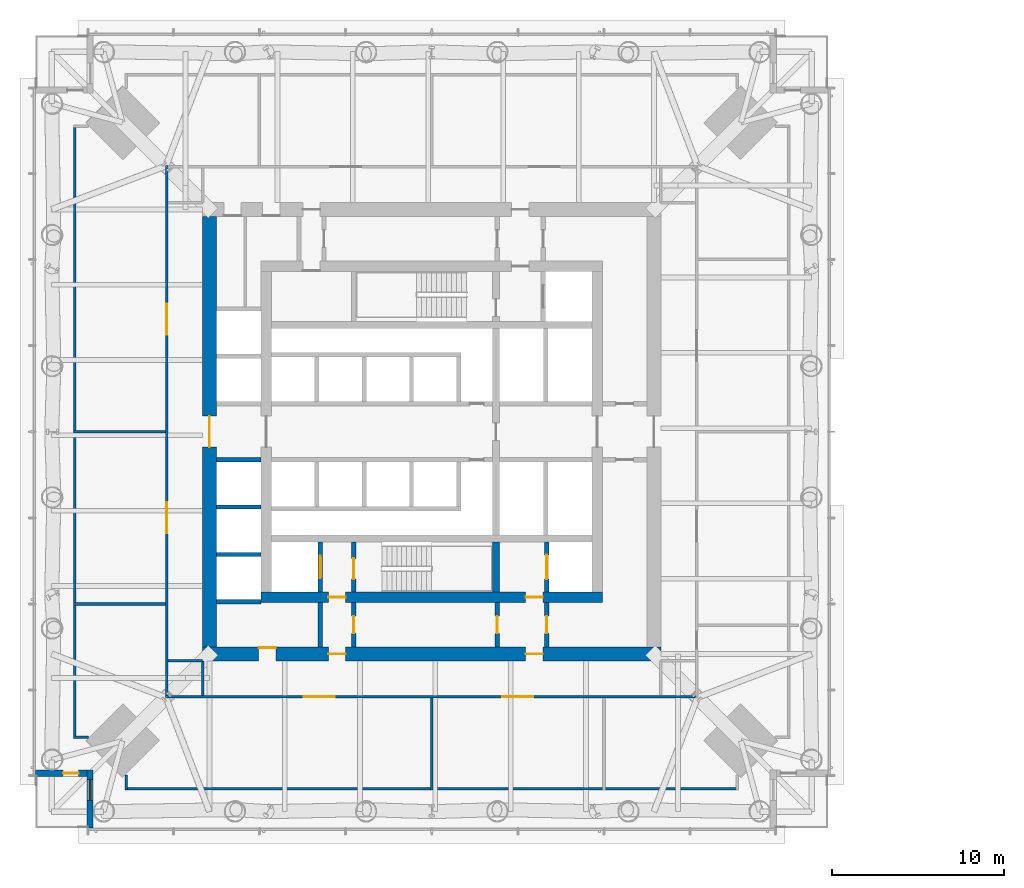
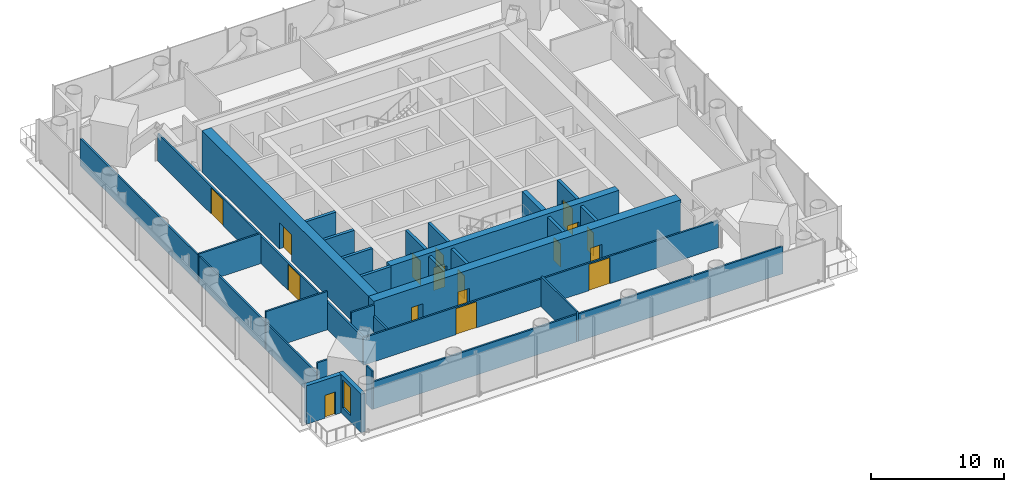
# One storey, part 10 of 28: 28 walls, 17 doors, 1 window, 18 openings.
"""IFC4 building model written with IfcOpenShell, lengths in metres."""

from ifc_helpers import new_model, si_unit, direction, frame, frame_2d, origin, place, context, subcontext, project, spatial, rectangle, extrude, material, layer, layer_set, type_object, element, fill, save


model = new_model("IFC4")

# Units and contexts
model_context = context("Model", 3, precision=1e-05, world=origin(), true_north=direction((0.0, 1.0)))
body_context = subcontext(model_context, "Body", "Model", "MODEL_VIEW")
ifc_project = project(units=[si_unit("LENGTHUNIT", "METRE"), si_unit("AREAUNIT", "SQUARE_METRE"), si_unit("VOLUMEUNIT", "CUBIC_METRE"), si_unit("PLANEANGLEUNIT", "RADIAN"), si_unit("MASSUNIT", "GRAM", prefix="KILO")], contexts=[model_context])

# Site, building, storey
site_placement = place(None, origin())
site = spatial("IfcSite", under=ifc_project, at=site_placement, CompositionType="ELEMENT")
building_placement = place(site_placement, origin())
building = spatial("IfcBuilding", under=site, at=building_placement, Name="Ostroluk Exchange", CompositionType="ELEMENT")
storey_placement = place(building_placement, frame((0.0, 0.0, 81.800048828125)))
storey = spatial("IfcBuildingStorey", under=building, at=storey_placement, Name="L20", CompositionType="ELEMENT", Elevation=81.800048828125)

# Wall
ifc_material_1 = material(Name="Concrete blockwork", Category="masonry")
ifc_layer_1 = layer(ifc_material_1, 0.14990234375)
ifc_layer_set_1 = layer_set([ifc_layer_1], Name="Blockwork plant room wall 150")
wall_type_1 = type_object("IfcWallType", Name="Blockwork plant room wall 150", PredefinedType="SOLIDWALL", material=ifc_layer_set_1)
wall_1_placement = place(storey_placement, frame((29.550048828125, 46.0, 0.0), z_axis=(0.0, 0.0, 1.0), x_axis=(-1.0, 0.0, 0.0)))
element("IfcWall", 1, at=wall_1_placement, inside=storey, type_object=wall_type_1, Name="Plant room wall", PredefinedType="SOLIDWALL", context=body_context, shape_type="SweptSolid", body=[
    extrude(rectangle(XDim=5.35009765625, YDim=0.14990234375, at=frame_2d((2.675048828125, 0.0))), origin(), (0.0, 0.0, 1.0), 2.758056640625),
])

# Wall, openings, doors
wall_2_placement = place(storey_placement, frame((29.625, 61.449951171875, 0.0), z_axis=(0.0, 0.0, 1.0), x_axis=(0.0, -1.0, 0.0)))
wall_2 = element("IfcWall", 2, at=wall_2_placement, inside=storey, type_object=wall_type_1, Name="Plant room wall", PredefinedType="SOLIDWALL", context=body_context, shape_type="SweptSolid", body=[
    extrude(rectangle(XDim=30.75, YDim=0.14990234375, at=frame_2d((15.375, 0.0))), origin(), (0.0, 0.0, 1.0), 2.511962890625),
])
opening_1_placement = place(wall_2_placement, frame((8.012451171875, 0.0, 0.0)))
opening_1 = element("IfcOpeningElement", 3, at=opening_1_placement, cuts=wall_2, Name="Opening D-05", PredefinedType="OPENING", context=body_context, shape_type="SweptSolid", body=[
    extrude(rectangle(XDim=1.800048828125, YDim=2.39990234375, at=frame_2d((0.89990234375, 1.199951171875))), frame((0.0, 0.0849609375, 0.0), z_axis=(0.0, -1.0, 0.0), x_axis=(1.0, 0.0, 0.0)), (0.0, 0.0, 1.0), 0.169921875),
])
opening_2_placement = place(wall_2_placement, frame((19.550048828125, 0.0, 0.0)))
opening_2 = element("IfcOpeningElement", 4, at=opening_2_placement, cuts=wall_2, Name="Opening D-05", PredefinedType="OPENING", context=body_context, shape_type="SweptSolid", body=[
    extrude(rectangle(XDim=1.800048828125, YDim=2.39990234375, at=frame_2d((0.89990234375, 1.199951171875))), frame((0.0, 0.0849609375, 0.0), z_axis=(0.0, -1.0, 0.0), x_axis=(1.0, 0.0, 0.0)), (0.0, 0.0, 1.0), 0.169921875),
])
ifc_material_2 = material(Name="Steel", Category="steel")
door_type_1 = type_object("IfcDoorType", Name="Plant room double door EI 60 1800 x 2400", OperationType="DOUBLE_DOOR_SINGLE_SWING", PredefinedType="DOOR", material=ifc_material_2)
door_1_placement = place(opening_1_placement, origin())
door_1 = element("IfcDoor", 5, at=door_1_placement, inside=storey, type_object=door_type_1, Name="Electrical switch room door", OperationType="DOUBLE_DOOR_SINGLE_SWING", OverallHeight=2.39990234375, OverallWidth=1.800048828125, PredefinedType="DOOR", context=body_context, shape_type="SweptSolid", body=[
    extrude(rectangle(XDim=1.800048828125, YDim=2.39990234375, at=frame_2d((0.89990234375, 1.199951171875))), frame((0.0, 0.02490234375, 0.0), z_axis=(0.0, -1.0, 0.0), x_axis=(1.0, 0.0, 0.0)), (0.0, 0.0, 1.0), 0.050048828125),
])
fill(opening_1, door_1)
door_2_placement = place(opening_2_placement, origin())
door_2 = element("IfcDoor", 6, at=door_2_placement, inside=storey, type_object=door_type_1, Name="Transformer room door", OperationType="DOUBLE_DOOR_SINGLE_SWING", OverallHeight=2.39990234375, OverallWidth=1.800048828125, PredefinedType="DOOR", context=body_context, shape_type="SweptSolid", body=[
    extrude(rectangle(XDim=1.800048828125, YDim=2.39990234375, at=frame_2d((0.89990234375, 1.199951171875))), frame((0.0, 0.02490234375, 0.0), z_axis=(0.0, -1.0, 0.0), x_axis=(1.0, 0.0, 0.0)), (0.0, 0.0, 1.0), 0.050048828125),
])
fill(opening_2, door_2)

# Walls
wall_3_placement = place(storey_placement, frame((29.550048828125, 36.0, 0.0), z_axis=(0.0, 0.0, 1.0), x_axis=(-1.0, 0.0, 0.0)))
element("IfcWall", 7, at=wall_3_placement, inside=storey, type_object=wall_type_1, Name="Plant room wall", PredefinedType="SOLIDWALL", context=body_context, shape_type="SweptSolid", body=[
    extrude(rectangle(XDim=5.35009765625, YDim=0.14990234375, at=frame_2d((2.675048828125, 0.0))), origin(), (0.0, 0.0, 1.0), 3.52001953125),
])
wall_4_placement = place(storey_placement, frame((45.0, 30.550048828125, 0.0), z_axis=(0.0, 0.0, 1.0), x_axis=(0.0, -1.0, 0.0)))
element("IfcWall", 8, at=wall_4_placement, inside=storey, type_object=wall_type_1, Name="Plant room wall", PredefinedType="SOLIDWALL", context=body_context, shape_type="SweptSolid", body=[
    extrude(rectangle(XDim=5.35009765625, YDim=0.14990234375, at=frame_2d((2.675048828125, 0.0))), origin(), (0.0, 0.0, 1.0), 2.758056640625),
])

# Wall, openings, doors
wall_5_placement = place(storey_placement, frame((29.550048828125, 30.625, 0.0), z_axis=(0.0, 0.0, 1.0), x_axis=(1.0, 0.0, 0.0)))
wall_5 = element("IfcWall", 9, at=wall_5_placement, inside=storey, type_object=wall_type_1, Name="Plant room wall", PredefinedType="SOLIDWALL", context=body_context, shape_type="SweptSolid", body=[
    extrude(rectangle(XDim=30.75, YDim=0.14990234375, at=frame_2d((15.375, 0.0))), origin(), (0.0, 0.0, 1.0), 2.511962890625),
])
opening_3_placement = place(wall_5_placement, frame((8.012451171875, 0.0, 0.0)))
opening_3 = element("IfcOpeningElement", 10, at=opening_3_placement, cuts=wall_5, Name="Opening D-05", PredefinedType="OPENING", context=body_context, shape_type="SweptSolid", body=[
    extrude(rectangle(XDim=1.800048828125, YDim=2.39990234375, at=frame_2d((0.89990234375, 1.199951171875))), frame((0.0, 0.0849609375, 0.0), z_axis=(0.0, -1.0, 0.0), x_axis=(1.0, 0.0, 0.0)), (0.0, 0.0, 1.0), 0.169921875),
])
opening_4_placement = place(wall_5_placement, frame((19.550048828125, 0.0, 0.0)))
opening_4 = element("IfcOpeningElement", 11, at=opening_4_placement, cuts=wall_5, Name="Opening D-05", PredefinedType="OPENING", context=body_context, shape_type="SweptSolid", body=[
    extrude(rectangle(XDim=1.800048828125, YDim=2.39990234375, at=frame_2d((0.89990234375, 1.199951171875))), frame((0.0, 0.0849609375, 0.0), z_axis=(0.0, -1.0, 0.0), x_axis=(1.0, 0.0, 0.0)), (0.0, 0.0, 1.0), 0.169921875),
])
door_3_placement = place(opening_3_placement, origin())
door_3 = element("IfcDoor", 12, at=door_3_placement, inside=storey, type_object=door_type_1, Name="Sprinkler pump room door", OperationType="DOUBLE_DOOR_SINGLE_SWING", OverallHeight=2.39990234375, OverallWidth=1.800048828125, PredefinedType="DOOR", context=body_context, shape_type="SweptSolid", body=[
    extrude(rectangle(XDim=1.800048828125, YDim=2.39990234375, at=frame_2d((0.89990234375, 1.199951171875))), frame((0.0, 0.02490234375, 0.0), z_axis=(0.0, -1.0, 0.0), x_axis=(1.0, 0.0, 0.0)), (0.0, 0.0, 1.0), 0.050048828125),
])
fill(opening_3, door_3)
door_4_placement = place(opening_4_placement, origin())
door_4 = element("IfcDoor", 13, at=door_4_placement, inside=storey, type_object=door_type_1, Name="Chiller plant room door", OperationType="DOUBLE_DOOR_SINGLE_SWING", OverallHeight=2.39990234375, OverallWidth=1.800048828125, PredefinedType="DOOR", context=body_context, shape_type="SweptSolid", body=[
    extrude(rectangle(XDim=1.800048828125, YDim=2.39990234375, at=frame_2d((0.89990234375, 1.199951171875))), frame((0.0, 0.02490234375, 0.0), z_axis=(0.0, -1.0, 0.0), x_axis=(1.0, 0.0, 0.0)), (0.0, 0.0, 1.0), 0.050048828125),
])
fill(opening_4, door_4)

# Wall
ifc_material_3 = material(Name="Concrete blockwork", Category="masonry")
ifc_layer_2 = layer(ifc_material_3, 0.25)
ifc_layer_set_2 = layer_set([ifc_layer_2], Name="Blockwork stair enclosure wall 250")
wall_type_2 = type_object("IfcWallType", Name="Blockwork stair enclosure wall 250", PredefinedType="SOLIDWALL", material=ifc_layer_set_2)
wall_6_placement = place(storey_placement, frame((38.52490234375, 33.5, 0.0), z_axis=(0.0, 0.0, 1.0), x_axis=(0.0, 1.0, 0.0)))
element("IfcWall", 14, at=wall_6_placement, inside=storey, type_object=wall_type_2, Name="Fire lobby enclosure wall", PredefinedType="SOLIDWALL", context=body_context, shape_type="SweptSolid", body=[
    extrude(rectangle(XDim=2.60009765625, YDim=0.25, at=frame_2d((1.300048828125, 0.0))), origin(), (0.0, 0.0, 1.0), 3.52001953125),
])

# Wall, opening, door
wall_7_placement = place(storey_placement, frame((40.47509765625, 33.5, 0.0), z_axis=(0.0, 0.0, 1.0), x_axis=(0.0, 1.0, 0.0)))
wall_7 = element("IfcWall", 15, at=wall_7_placement, inside=storey, type_object=wall_type_2, Name="Fire lobby enclosure wall", PredefinedType="SOLIDWALL", context=body_context, shape_type="SweptSolid", body=[
    extrude(rectangle(XDim=2.60009765625, YDim=0.25, at=frame_2d((1.300048828125, 0.0))), origin(), (0.0, 0.0, 1.0), 3.52001953125),
])
opening_5_placement = place(wall_7_placement, frame((0.800048828125, 0.0, 0.0)))
opening_5 = element("IfcOpeningElement", 16, at=opening_5_placement, cuts=wall_7, Name="Opening FD60", PredefinedType="OPENING", context=body_context, shape_type="SweptSolid", body=[
    extrude(rectangle(XDim=1.0, YDim=2.10009765625, at=frame_2d((0.5, 1.050048828125))), frame((0.0, 0.135009765625, 0.0), z_axis=(0.0, -1.0, 0.0), x_axis=(1.0, 0.0, 0.0)), (0.0, 0.0, 1.0), 0.27001953125),
])
ifc_material_4 = material(Name="Steel", Category="steel")
door_type_2 = type_object("IfcDoorType", Name="Fire door EI 60 1000 x 2100", OperationType="SINGLE_SWING_LEFT", PredefinedType="DOOR", material=ifc_material_4)
door_5_placement = place(opening_5_placement, origin())
door_5 = element("IfcDoor", 17, at=door_5_placement, inside=storey, type_object=door_type_2, Name="Core link door", OperationType="SINGLE_SWING_LEFT", OverallHeight=2.10009765625, OverallWidth=1.0, PredefinedType="DOOR", context=body_context, shape_type="SweptSolid", body=[
    extrude(rectangle(XDim=1.0, YDim=2.10009765625, at=frame_2d((0.5, 1.050048828125))), frame((0.0, 0.02490234375, 0.0), z_axis=(0.0, -1.0, 0.0), x_axis=(1.0, 0.0, 0.0)), (0.0, 0.0, 1.0), 0.050048828125),
])
fill(opening_5, door_5)

wall_8_placement = place(storey_placement, frame((48.804931640625, 33.5, 0.0), z_axis=(0.0, 0.0, 1.0), x_axis=(0.0, 1.0, 0.0)))
wall_8 = element("IfcWall", 18, at=wall_8_placement, inside=storey, type_object=wall_type_2, Name="Service lobby enclosure wall", PredefinedType="SOLIDWALL", context=body_context, shape_type="SweptSolid", body=[
    extrude(rectangle(XDim=2.60009765625, YDim=0.25, at=frame_2d((1.300048828125, 0.0))), origin(), (0.0, 0.0, 1.0), 3.52001953125),
])
opening_6_placement = place(wall_8_placement, frame((0.800048828125, 0.0, 0.0)))
opening_6 = element("IfcOpeningElement", 19, at=opening_6_placement, cuts=wall_8, Name="Opening FD60", PredefinedType="OPENING", context=body_context, shape_type="SweptSolid", body=[
    extrude(rectangle(XDim=1.0, YDim=2.10009765625, at=frame_2d((0.5, 1.050048828125))), frame((0.0, 0.135009765625, 0.0), z_axis=(0.0, -1.0, 0.0), x_axis=(1.0, 0.0, 0.0)), (0.0, 0.0, 1.0), 0.27001953125),
])
door_6_placement = place(opening_6_placement, origin())
door_6 = element("IfcDoor", 20, at=door_6_placement, inside=storey, type_object=door_type_2, Name="Core link door", OperationType="SINGLE_SWING_LEFT", OverallHeight=2.10009765625, OverallWidth=1.0, PredefinedType="DOOR", context=body_context, shape_type="SweptSolid", body=[
    extrude(rectangle(XDim=1.0, YDim=2.10009765625, at=frame_2d((0.5, 1.050048828125))), frame((0.0, 0.02490234375, 0.0), z_axis=(0.0, -1.0, 0.0), x_axis=(1.0, 0.0, 0.0)), (0.0, 0.0, 1.0), 0.050048828125),
])
fill(opening_6, door_6)

wall_9_placement = place(storey_placement, frame((51.675048828125, 33.5, 0.0), z_axis=(0.0, 0.0, 1.0), x_axis=(0.0, 1.0, 0.0)))
wall_9 = element("IfcWall", 21, at=wall_9_placement, inside=storey, type_object=wall_type_2, Name="Service lobby enclosure wall", PredefinedType="SOLIDWALL", context=body_context, shape_type="SweptSolid", body=[
    extrude(rectangle(XDim=2.60009765625, YDim=0.25, at=frame_2d((1.300048828125, 0.0))), origin(), (0.0, 0.0, 1.0), 3.52001953125),
])
opening_7_placement = place(wall_9_placement, frame((0.800048828125, 0.0, 0.0)))
opening_7 = element("IfcOpeningElement", 22, at=opening_7_placement, cuts=wall_9, Name="Opening FD60", PredefinedType="OPENING", context=body_context, shape_type="SweptSolid", body=[
    extrude(rectangle(XDim=1.0, YDim=2.10009765625, at=frame_2d((0.5, 1.050048828125))), frame((0.0, 0.135009765625, 0.0), z_axis=(0.0, -1.0, 0.0), x_axis=(1.0, 0.0, 0.0)), (0.0, 0.0, 1.0), 0.27001953125),
])
door_7_placement = place(opening_7_placement, origin())
door_7 = element("IfcDoor", 23, at=door_7_placement, inside=storey, type_object=door_type_2, Name="Core link door", OperationType="SINGLE_SWING_LEFT", OverallHeight=2.10009765625, OverallWidth=1.0, PredefinedType="DOOR", context=body_context, shape_type="SweptSolid", body=[
    extrude(rectangle(XDim=1.0, YDim=2.10009765625, at=frame_2d((0.5, 1.050048828125))), frame((0.0, 0.02490234375, 0.0), z_axis=(0.0, -1.0, 0.0), x_axis=(1.0, 0.0, 0.0)), (0.0, 0.0, 1.0), 0.050048828125),
])
fill(opening_7, door_7)

# Wall
ifc_material_5 = material(Name="Concrete C50/60", Category="concrete")
ifc_layer_3 = layer(ifc_material_5, 0.39990234375)
ifc_layer_set_3 = layer_set([ifc_layer_3], Name="Core cross wall 400 C50/60")
wall_type_3 = type_object("IfcWallType", Name="Core cross wall 400 C50/60", PredefinedType="SHEAR", material=ifc_layer_set_3)
wall_10_placement = place(storey_placement, frame((48.72998046875, 36.699951171875, 0.0), z_axis=(0.0, 0.0, 1.0), x_axis=(0.0, 1.0, 0.0)))
element("IfcWall", 24, at=wall_10_placement, inside=storey, type_object=wall_type_3, Name="T1 core wall YE1", PredefinedType="SHEAR", context=body_context, shape_type="SweptSolid", body=[
    extrude(rectangle(XDim=2.900146484375, YDim=0.39990234375, at=frame_2d((1.4501953125, 0.0))), origin(), (0.0, 0.0, 1.0), 3.800048828125),
])

# Wall, opening, door
ifc_material_6 = material(Name="Concrete C40/50", Category="concrete")
ifc_layer_4 = layer(ifc_material_6, 0.25)
ifc_layer_set_4 = layer_set([ifc_layer_4], Name="Core shaft wall 250")
wall_type_4 = type_object("IfcWallType", Name="Core shaft wall 250", PredefinedType="SHEAR", material=ifc_layer_set_4)
wall_11_placement = place(storey_placement, frame((38.52490234375, 36.699951171875, 0.0), z_axis=(0.0, 0.0, 1.0), x_axis=(0.0, 1.0, 0.0)))
wall_11 = element("IfcWall", 25, at=wall_11_placement, inside=storey, type_object=wall_type_4, Name="Firefighting lift shaft wall", PredefinedType="SHEAR", context=body_context, shape_type="SweptSolid", body=[
    extrude(rectangle(XDim=2.900146484375, YDim=0.25, at=frame_2d((1.4501953125, 0.0))), origin(), (0.0, 0.0, 1.0), 3.800048828125),
])
opening_8_placement = place(wall_11_placement, frame((0.800048828125, 0.0, 0.0)))
opening_8 = element("IfcOpeningElement", 26, at=opening_8_placement, cuts=wall_11, Name="Opening LD2", PredefinedType="OPENING", context=body_context, shape_type="SweptSolid", body=[
    extrude(rectangle(XDim=1.300048828125, YDim=2.199951171875, at=frame_2d((0.64990234375, 1.10009765625))), frame((0.0, 0.135009765625, 0.0), z_axis=(0.0, -1.0, 0.0), x_axis=(1.0, 0.0, 0.0)), (0.0, 0.0, 1.0), 0.27001953125),
])
ifc_material_7 = material(Name="Stainless steel", Category="steel")
door_type_3 = type_object("IfcDoorType", Name="Lift landing door E 60 1300 x 2200", OperationType="DOUBLE_DOOR_SLIDING", PredefinedType="DOOR", material=ifc_material_7)
door_8_placement = place(opening_8_placement, origin())
door_8 = element("IfcDoor", 27, at=door_8_placement, inside=storey, type_object=door_type_3, Name="Lift FL1 landing door", OperationType="DOUBLE_DOOR_SLIDING", OverallHeight=2.199951171875, OverallWidth=1.300048828125, PredefinedType="DOOR", context=body_context, shape_type="SweptSolid", body=[
    extrude(rectangle(XDim=1.300048828125, YDim=2.199951171875, at=frame_2d((0.64990234375, 1.10009765625))), frame((0.0, 0.02490234375, 0.0), z_axis=(0.0, -1.0, 0.0), x_axis=(1.0, 0.0, 0.0)), (0.0, 0.0, 1.0), 0.050048828125),
])
fill(opening_8, door_8)

wall_12_placement = place(storey_placement, frame((40.47509765625, 36.699951171875, 0.0), z_axis=(0.0, 0.0, 1.0), x_axis=(0.0, 1.0, 0.0)))
wall_12 = element("IfcWall", 28, at=wall_12_placement, inside=storey, type_object=wall_type_4, Name="Stair shaft wall", PredefinedType="SHEAR", context=body_context, shape_type="SweptSolid", body=[
    extrude(rectangle(XDim=2.900146484375, YDim=0.25, at=frame_2d((1.4501953125, 0.0))), origin(), (0.0, 0.0, 1.0), 3.800048828125),
])
opening_9_placement = place(wall_12_placement, frame((0.75, 0.0, 0.0)))
opening_9 = element("IfcOpeningElement", 29, at=opening_9_placement, cuts=wall_12, Name="Opening FD60S", PredefinedType="OPENING", context=body_context, shape_type="SweptSolid", body=[
    extrude(rectangle(XDim=1.199951171875, YDim=2.10009765625, at=frame_2d((0.60009765625, 1.050048828125))), frame((0.0, 0.135009765625, 0.0), z_axis=(0.0, -1.0, 0.0), x_axis=(1.0, 0.0, 0.0)), (0.0, 0.0, 1.0), 0.27001953125),
])
ifc_material_8 = material(Name="Steel", Category="steel")
door_type_4 = type_object("IfcDoorType", Name="Stair door EI 60 1200 x 2100", OperationType="SINGLE_SWING_LEFT", PredefinedType="DOOR", material=ifc_material_8)
door_9_placement = place(opening_9_placement, origin())
door_9 = element("IfcDoor", 30, at=door_9_placement, inside=storey, type_object=door_type_4, Name="Stair T1-S1 door", OperationType="SINGLE_SWING_LEFT", OverallHeight=2.10009765625, OverallWidth=1.199951171875, PredefinedType="DOOR", context=body_context, shape_type="SweptSolid", body=[
    extrude(rectangle(XDim=1.199951171875, YDim=2.10009765625, at=frame_2d((0.60009765625, 1.050048828125))), frame((0.0, 0.02490234375, 0.0), z_axis=(0.0, -1.0, 0.0), x_axis=(1.0, 0.0, 0.0)), (0.0, 0.0, 1.0), 0.050048828125),
])
fill(opening_9, door_9)

wall_13_placement = place(storey_placement, frame((51.675048828125, 36.699951171875, 0.0), z_axis=(0.0, 0.0, 1.0), x_axis=(0.0, 1.0, 0.0)))
wall_13 = element("IfcWall", 31, at=wall_13_placement, inside=storey, type_object=wall_type_4, Name="Service lift shaft wall", PredefinedType="SHEAR", context=body_context, shape_type="SweptSolid", body=[
    extrude(rectangle(XDim=2.900146484375, YDim=0.25, at=frame_2d((1.4501953125, 0.0))), origin(), (0.0, 0.0, 1.0), 3.800048828125),
])
opening_10_placement = place(wall_13_placement, frame((0.75, 0.0, 0.0)))
opening_10 = element("IfcOpeningElement", 32, at=opening_10_placement, cuts=wall_13, Name="Opening LD3", PredefinedType="OPENING", context=body_context, shape_type="SweptSolid", body=[
    extrude(rectangle(XDim=1.39990234375, YDim=2.39990234375, at=frame_2d((0.699951171875, 1.199951171875))), frame((0.0, 0.135009765625, 0.0), z_axis=(0.0, -1.0, 0.0), x_axis=(1.0, 0.0, 0.0)), (0.0, 0.0, 1.0), 0.27001953125),
])
ifc_material_9 = material(Name="Stainless steel", Category="steel")
door_type_5 = type_object("IfcDoorType", Name="Goods lift landing door E 60 1400 x 2400", OperationType="DOUBLE_DOOR_SLIDING", PredefinedType="DOOR", material=ifc_material_9)
door_10_placement = place(opening_10_placement, origin())
door_10 = element("IfcDoor", 33, at=door_10_placement, inside=storey, type_object=door_type_5, Name="Lift SL1 landing door", OperationType="DOUBLE_DOOR_SLIDING", OverallHeight=2.39990234375, OverallWidth=1.39990234375, PredefinedType="DOOR", context=body_context, shape_type="SweptSolid", body=[
    extrude(rectangle(XDim=1.39990234375, YDim=2.39990234375, at=frame_2d((0.699951171875, 1.199951171875))), frame((0.0, 0.02490234375, 0.0), z_axis=(0.0, -1.0, 0.0), x_axis=(1.0, 0.0, 0.0)), (0.0, 0.0, 1.0), 0.050048828125),
])
fill(opening_10, door_10)

# Walls
for number, where, z_axis, x_axis, name in (
    (34, (32.5, 36.125, 0.0), (0.0, 0.0, 1.0), (1.0, 0.0, 0.0), "Lift shaft wall"),
    (35, (32.5, 38.875, 0.0), (0.0, 0.0, 1.0), (1.0, 0.0, 0.0), "Lift shaft wall"),
    (36, (32.5, 41.625, 0.0), (0.0, 0.0, 1.0), (1.0, 0.0, 0.0), "Lift shaft wall"),
    (37, (32.5, 44.375, 0.0), (0.0, 0.0, 1.0), (1.0, 0.0, 0.0), "Lift shaft wall"),
):
    element("IfcWall", number, at=place(storey_placement, frame(where, z_axis=z_axis, x_axis=x_axis)), inside=storey, type_object=wall_type_4, Name=name, PredefinedType="SHEAR", context=body_context, shape_type="SweptSolid", body=[
        extrude(rectangle(XDim=2.60009765625, YDim=0.25, at=frame_2d((1.300048828125, 0.0))), origin(), (0.0, 0.0, 1.0), 3.800048828125),
    ])

# Wall, openings, doors
ifc_material_10 = material(Name="Concrete C50/60", Category="concrete")
ifc_layer_5 = layer(ifc_material_10, 0.60009765625)
ifc_layer_set_5 = layer_set([ifc_layer_5], Name="Core wall 600 C50/60")
wall_type_5 = type_object("IfcWallType", Name="Core wall 600 C50/60", PredefinedType="SHEAR", material=ifc_layer_set_5)
wall_14_placement = place(storey_placement, frame((35.10009765625, 36.39990234375, 0.0), z_axis=(0.0, 0.0, 1.0), x_axis=(1.0, 0.0, 0.0)))
wall_14 = element("IfcWall", 38, at=wall_14_placement, inside=storey, type_object=wall_type_5, Name="T1 core wall S", PredefinedType="SHEAR", context=body_context, shape_type="SweptSolid", body=[
    extrude(rectangle(XDim=19.7998046875, YDim=0.60009765625, at=frame_2d((9.89990234375, 0.0))), origin(), (0.0, 0.0, 1.0), 3.800048828125),
])
opening_11_placement = place(wall_14_placement, frame((3.89990234375, 0.0, 0.0)))
opening_11 = element("IfcOpeningElement", 39, at=opening_11_placement, cuts=wall_14, Name="Opening FD60", PredefinedType="OPENING", context=body_context, shape_type="SweptSolid", body=[
    extrude(rectangle(XDim=1.0, YDim=2.10009765625, at=frame_2d((0.5, 1.050048828125))), frame((0.0, 0.31005859375, 0.0), z_axis=(0.0, -1.0, 0.0), x_axis=(1.0, 0.0, 0.0)), (0.0, 0.0, 1.0), 0.6201171875),
])
opening_12_placement = place(wall_14_placement, frame((15.35009765625, 0.0, 0.0)))
opening_12 = element("IfcOpeningElement", 40, at=opening_12_placement, cuts=wall_14, Name="Opening FD60", PredefinedType="OPENING", context=body_context, shape_type="SweptSolid", body=[
    extrude(rectangle(XDim=1.0, YDim=2.10009765625, at=frame_2d((0.5, 1.050048828125))), frame((0.0, 0.31005859375, 0.0), z_axis=(0.0, -1.0, 0.0), x_axis=(1.0, 0.0, 0.0)), (0.0, 0.0, 1.0), 0.6201171875),
])
door_11_placement = place(opening_11_placement, origin())
door_11 = element("IfcDoor", 41, at=door_11_placement, inside=storey, type_object=door_type_2, Name="Firefighting lobby door", OperationType="SINGLE_SWING_LEFT", OverallHeight=2.10009765625, OverallWidth=1.0, PredefinedType="DOOR", context=body_context, shape_type="SweptSolid", body=[
    extrude(rectangle(XDim=1.0, YDim=2.10009765625, at=frame_2d((0.5, 1.050048828125))), frame((0.0, 0.02490234375, 0.0), z_axis=(0.0, -1.0, 0.0), x_axis=(1.0, 0.0, 0.0)), (0.0, 0.0, 1.0), 0.050048828125),
])
fill(opening_11, door_11)
door_12_placement = place(opening_12_placement, origin())
door_12 = element("IfcDoor", 42, at=door_12_placement, inside=storey, type_object=door_type_2, Name="Service lobby door", OperationType="SINGLE_SWING_RIGHT", OverallHeight=2.10009765625, OverallWidth=1.0, PredefinedType="DOOR", context=body_context, shape_type="SweptSolid", body=[
    extrude(rectangle(XDim=1.0, YDim=2.10009765625, at=frame_2d((0.5, 1.050048828125))), frame((0.0, 0.02490234375, 0.0), z_axis=(0.0, -1.0, 0.0), x_axis=(1.0, 0.0, 0.0)), (0.0, 0.0, 1.0), 0.050048828125),
])
fill(opening_12, door_12)

ifc_material_11 = material(Name="Concrete C50/60", Category="concrete")
ifc_layer_6 = layer(ifc_material_11, 0.800048828125)
ifc_layer_set_6 = layer_set([ifc_layer_6], Name="Core wall 800 C50/60")
wall_type_6 = type_object("IfcWallType", Name="Core wall 800 C50/60", PredefinedType="SHEAR", material=ifc_layer_set_6)
wall_15_placement = place(storey_placement, frame((31.699951171875, 33.10009765625, 0.0), z_axis=(0.0, 0.0, 1.0), x_axis=(1.0, 0.0, 0.0)))
wall_15 = element("IfcWall", 43, at=wall_15_placement, inside=storey, type_object=wall_type_6, Name="T1 core wall RS", PredefinedType="SHEAR", context=body_context, shape_type="SweptSolid", body=[
    extrude(rectangle(XDim=26.60009765625, YDim=0.800048828125, at=frame_2d((13.300048828125, 0.0))), origin(), (0.0, 0.0, 1.0), 3.800048828125),
])
opening_13_placement = place(wall_15_placement, frame((7.300048828125, 0.0, 0.0)))
opening_13 = element("IfcOpeningElement", 44, at=opening_13_placement, cuts=wall_15, Name="Opening FD60", PredefinedType="OPENING", context=body_context, shape_type="SweptSolid", body=[
    extrude(rectangle(XDim=1.0, YDim=2.10009765625, at=frame_2d((0.5, 1.050048828125))), frame((0.0, 0.409912109375, 0.0), z_axis=(0.0, -1.0, 0.0), x_axis=(1.0, 0.0, 0.0)), (0.0, 0.0, 1.0), 0.820068359375),
])
opening_14_placement = place(wall_15_placement, frame((18.75, 0.0, 0.0)))
opening_14 = element("IfcOpeningElement", 45, at=opening_14_placement, cuts=wall_15, Name="Opening FD60", PredefinedType="OPENING", context=body_context, shape_type="SweptSolid", body=[
    extrude(rectangle(XDim=1.0, YDim=2.10009765625, at=frame_2d((0.5, 1.050048828125))), frame((0.0, 0.409912109375, 0.0), z_axis=(0.0, -1.0, 0.0), x_axis=(1.0, 0.0, 0.0)), (0.0, 0.0, 1.0), 0.820068359375),
])
opening_15_placement = place(wall_15_placement, frame((3.25, 0.0, 0.0)))
opening_15 = element("IfcOpeningElement", 46, at=opening_15_placement, cuts=wall_15, Name="Opening FD60", PredefinedType="OPENING", context=body_context, shape_type="SweptSolid", body=[
    extrude(rectangle(XDim=1.0, YDim=2.10009765625, at=frame_2d((0.5, 1.050048828125))), frame((0.0, 0.409912109375, 0.0), z_axis=(0.0, -1.0, 0.0), x_axis=(1.0, 0.0, 0.0)), (0.0, 0.0, 1.0), 0.820068359375),
])
door_13_placement = place(opening_13_placement, origin())
door_13 = element("IfcDoor", 47, at=door_13_placement, inside=storey, type_object=door_type_2, Name="Firefighting lobby door", OperationType="SINGLE_SWING_LEFT", OverallHeight=2.10009765625, OverallWidth=1.0, PredefinedType="DOOR", context=body_context, shape_type="SweptSolid", body=[
    extrude(rectangle(XDim=1.0, YDim=2.10009765625, at=frame_2d((0.5, 1.050048828125))), frame((0.0, 0.02490234375, 0.0), z_axis=(0.0, -1.0, 0.0), x_axis=(1.0, 0.0, 0.0)), (0.0, 0.0, 1.0), 0.050048828125),
])
fill(opening_13, door_13)
door_14_placement = place(opening_14_placement, origin())
door_14 = element("IfcDoor", 48, at=door_14_placement, inside=storey, type_object=door_type_2, Name="Service lobby door", OperationType="SINGLE_SWING_RIGHT", OverallHeight=2.10009765625, OverallWidth=1.0, PredefinedType="DOOR", context=body_context, shape_type="SweptSolid", body=[
    extrude(rectangle(XDim=1.0, YDim=2.10009765625, at=frame_2d((0.5, 1.050048828125))), frame((0.0, 0.02490234375, 0.0), z_axis=(0.0, -1.0, 0.0), x_axis=(1.0, 0.0, 0.0)), (0.0, 0.0, 1.0), 0.050048828125),
])
fill(opening_14, door_14)
door_15_placement = place(opening_15_placement, origin())
door_15 = element("IfcDoor", 49, at=door_15_placement, inside=storey, type_object=door_type_2, Name="Plant control room door", OperationType="SINGLE_SWING_LEFT", OverallHeight=2.10009765625, OverallWidth=1.0, PredefinedType="DOOR", context=body_context, shape_type="SweptSolid", body=[
    extrude(rectangle(XDim=1.0, YDim=2.10009765625, at=frame_2d((0.5, 1.050048828125))), frame((0.0, 0.39013671875, 0.0), z_axis=(0.0, -1.0, 0.0), x_axis=(1.0, 0.0, 0.0)), (0.0, 0.0, 1.0), 0.050048828125),
])
fill(opening_15, door_15)

# Wall, opening, door
wall_16_placement = place(storey_placement, frame((32.10009765625, 33.5, 0.0), z_axis=(0.0, 0.0, 1.0), x_axis=(0.0, 1.0, 0.0)))
wall_16 = element("IfcWall", 50, at=wall_16_placement, inside=storey, type_object=wall_type_6, Name="T1 core wall RW", PredefinedType="SHEAR", context=body_context, shape_type="SweptSolid", body=[
    extrude(rectangle(XDim=25.0, YDim=0.800048828125, at=frame_2d((12.5, 0.0))), origin(), (0.0, 0.0, 1.0), 3.800048828125),
])
opening_16_placement = place(wall_16_placement, frame((11.60009765625, 0.0, 0.0)))
opening_16 = element("IfcOpeningElement", 51, at=opening_16_placement, cuts=wall_16, Name="Opening FD30D", PredefinedType="OPENING", context=body_context, shape_type="SweptSolid", body=[
    extrude(rectangle(XDim=1.800048828125, YDim=2.39990234375, at=frame_2d((0.89990234375, 1.199951171875))), frame((0.0, 0.409912109375, 0.0), z_axis=(0.0, -1.0, 0.0), x_axis=(1.0, 0.0, 0.0)), (0.0, 0.0, 1.0), 0.820068359375),
])
ifc_material_12 = material(Name="Timber", Category="wood")
door_type_6 = type_object("IfcDoorType", Name="Lobby double door EI 30 1800 x 2400", OperationType="DOUBLE_DOOR_SINGLE_SWING", PredefinedType="DOOR", material=ifc_material_12)
door_16_placement = place(opening_16_placement, origin())
door_16 = element("IfcDoor", 52, at=door_16_placement, inside=storey, type_object=door_type_6, Name="Lift lobby doors", OperationType="DOUBLE_DOOR_SINGLE_SWING", OverallHeight=2.39990234375, OverallWidth=1.800048828125, PredefinedType="DOOR", context=body_context, shape_type="SweptSolid", body=[
    extrude(rectangle(XDim=1.800048828125, YDim=2.39990234375, at=frame_2d((0.89990234375, 1.199951171875))), frame((0.0, 0.02490234375, 0.0), z_axis=(0.0, -1.0, 0.0), x_axis=(1.0, 0.0, 0.0)), (0.0, 0.0, 1.0), 0.050048828125),
])
fill(opening_16, door_16)

# Wall, opening, window
ifc_material_13 = material(Name="Limestone", Category="masonry")
ifc_layer_7 = layer(ifc_material_13, 0.35009765625)
ifc_layer_set_7 = layer_set([ifc_layer_7], Name="Limestone facade wall 350")
wall_type_7 = type_object("IfcWallType", Name="Limestone facade wall 350", PredefinedType="SOLIDWALL", material=ifc_layer_set_7)
wall_17_placement = place(storey_placement, frame((25.175048828125, 23.0, 0.0), z_axis=(0.0, 0.0, 1.0), x_axis=(0.0, 1.0, 0.0)))
wall_17 = element("IfcWall", 53, at=wall_17_placement, inside=storey, type_object=wall_type_7, Name="Office tower SW corner wall L20 a", PredefinedType="SOLIDWALL", context=body_context, shape_type="SweptSolid", body=[
    extrude(rectangle(XDim=3.35009765625, YDim=0.35009765625, at=frame_2d((1.675048828125, 0.0))), origin(), (0.0, 0.0, 1.0), 3.52001953125),
])
opening_17_placement = place(wall_17_placement, frame((1.60009765625, 0.0, 0.60009765625)))
opening_17 = element("IfcOpeningElement", 54, at=opening_17_placement, cuts=wall_17, Name="Opening WN-LV1", PredefinedType="OPENING", context=body_context, shape_type="SweptSolid", body=[
    extrude(rectangle(XDim=1.199951171875, YDim=2.550048828125, at=frame_2d((0.60009765625, 1.27490234375))), frame((0.0, 0.18505859375, 0.0), z_axis=(0.0, -1.0, 0.0), x_axis=(1.0, 0.0, 0.0)), (0.0, 0.0, 1.0), 0.3701171875),
])
ifc_material_14 = material(Name="Aluminium louvre", Category="aluminium")
window_type = type_object("IfcWindowType", Name="Lancet louvre 1200 x 2550", PartitioningType="SINGLE_PANEL", PredefinedType="USERDEFINED", material=ifc_material_14)
window_placement = place(opening_17_placement, origin())
window = element("IfcWindow", 55, at=window_placement, inside=storey, type_object=window_type, Name="Office tower SW plant louvre L20", ObjectType="LOUVRE", OverallHeight=2.550048828125, OverallWidth=1.199951171875, PartitioningType="SINGLE_PANEL", PredefinedType="USERDEFINED", context=body_context, shape_type="SweptSolid", body=[
    extrude(rectangle(XDim=1.199951171875, YDim=2.550048828125, at=frame_2d((0.60009765625, 1.27490234375))), frame((0.0, 0.030029296875, 0.0), z_axis=(0.0, -1.0, 0.0), x_axis=(1.0, 0.0, 0.0)), (0.0, 0.0, 1.0), 0.06005859375),
])
fill(opening_17, window)

# Wall, opening, door
wall_18_placement = place(storey_placement, frame((25.0, 26.175048828125, 0.0), z_axis=(0.0, 0.0, 1.0), x_axis=(-1.0, 0.0, 0.0)))
wall_18 = element("IfcWall", 56, at=wall_18_placement, inside=storey, type_object=wall_type_7, Name="Office tower SW corner wall L20 b", PredefinedType="SOLIDWALL", context=body_context, shape_type="SweptSolid", body=[
    extrude(rectangle(XDim=3.0, YDim=0.35009765625, at=frame_2d((1.5, 0.0))), origin(), (0.0, 0.0, 1.0), 3.52001953125),
])
opening_18_placement = place(wall_18_placement, frame((0.5, 0.0, 0.0)))
opening_18 = element("IfcOpeningElement", 57, at=opening_18_placement, cuts=wall_18, Name="Opening D-M1", PredefinedType="OPENING", context=body_context, shape_type="SweptSolid", body=[
    extrude(rectangle(XDim=0.89990234375, YDim=2.10009765625, at=frame_2d((0.449951171875, 1.050048828125))), frame((0.0, 0.18505859375, 0.0), z_axis=(0.0, -1.0, 0.0), x_axis=(1.0, 0.0, 0.0)), (0.0, 0.0, 1.0), 0.3701171875),
])
ifc_material_15 = material(Name="Steel door", Category="steel")
door_type_7 = type_object("IfcDoorType", Name="Maintenance access door 900 x 2100", OperationType="SINGLE_SWING_LEFT", PredefinedType="DOOR", material=ifc_material_15)
door_17_placement = place(opening_18_placement, origin())
door_17 = element("IfcDoor", 58, at=door_17_placement, inside=storey, type_object=door_type_7, Name="Maintenance access door T1 L20 SW", OperationType="SINGLE_SWING_LEFT", OverallHeight=2.10009765625, OverallWidth=0.89990234375, PredefinedType="DOOR", context=body_context, shape_type="SweptSolid", body=[
    extrude(rectangle(XDim=0.89990234375, YDim=2.10009765625, at=frame_2d((0.449951171875, 1.050048828125))), frame((0.0, 0.02490234375, 0.0), z_axis=(0.0, -1.0, 0.0), x_axis=(1.0, 0.0, 0.0)), (0.0, 0.0, 1.0), 0.050048828125),
])
fill(opening_18, door_17)

# Walls
ifc_material_16 = material(Name="Gypsum plasterboard partition", Category="gypsum")
ifc_layer_8 = layer(ifc_material_16, 0.14990234375)
ifc_layer_set_8 = layer_set([ifc_layer_8], Name="Plasterboard partition 150")
wall_type_8 = type_object("IfcWallType", Name="Plasterboard partition 150", PredefinedType="PARTITIONING", material=ifc_layer_set_8)
wall_19_placement = place(storey_placement, frame((31.699951171875, 32.699951171875, 0.0), z_axis=(0.0, 0.0, 1.0), x_axis=(-1.0, 0.0, 0.0)))
element("IfcWall", 59, at=wall_19_placement, inside=storey, type_object=wall_type_8, Name="Partition", PredefinedType="PARTITIONING", context=body_context, shape_type="SweptSolid", body=[
    extrude(rectangle(XDim=2.0, YDim=0.14990234375, at=frame_2d((1.0, 0.0))), origin(), (0.0, 0.0, 1.0), 3.52001953125),
])
wall_20_placement = place(storey_placement, frame((31.699951171875, 32.699951171875, 0.0), z_axis=(0.0, 0.0, 1.0), x_axis=(0.0, -1.0, 0.0)))
element("IfcWall", 60, at=wall_20_placement, inside=storey, type_object=wall_type_8, Name="Partition", PredefinedType="PARTITIONING", context=body_context, shape_type="SweptSolid", body=[
    extrude(rectangle(XDim=2.0, YDim=0.14990234375, at=frame_2d((1.0, 0.0))), origin(), (0.0, 0.0, 1.0), 2.511962890625),
])
for number, where, z_axis, x_axis, name in (
    (61, (27.27490234375, 25.199951171875, 0.0), (0.0, 0.0, 1.0), (0.0, 1.0, 0.0), "Truss zone partition"),
    (62, (25.07861328125, 28.27490234375, 0.0), (0.0, 0.0, 1.0), (-1.0, 0.0, 0.0), "Truss zone partition"),
):
    element("IfcWall", number, at=place(storey_placement, frame(where, z_axis=z_axis, x_axis=x_axis)), inside=storey, type_object=wall_type_8, Name=name, PredefinedType="PARTITIONING", context=body_context, shape_type="SweptSolid", body=[
        extrude(rectangle(XDim=0.878662109375, YDim=0.14990234375, at=frame_2d((0.439453125, 0.0))), origin(), (0.0, 0.0, 1.0), 3.52001953125),
    ])
for number, where, z_axis, x_axis, name in (
    (63, (24.27490234375, 28.199951171875, 0.0), (0.0, 0.0, 1.0), (0.0, 1.0, 0.0), "Truss zone partition"),
    (64, (62.800048828125, 25.27490234375, 0.0), (0.0, 0.0, 1.0), (-1.0, 0.0, 0.0), "Truss zone partition"),
):
    element("IfcWall", number, at=place(storey_placement, frame(where, z_axis=z_axis, x_axis=x_axis)), inside=storey, type_object=wall_type_8, Name=name, PredefinedType="PARTITIONING", context=body_context, shape_type="SweptSolid", body=[
        extrude(rectangle(XDim=35.60009765625, YDim=0.14990234375, at=frame_2d((17.800048828125, 0.0))), origin(), (0.0, 0.0, 1.0), 2.511962890625),
    ])

save(model, "model.ifc")
